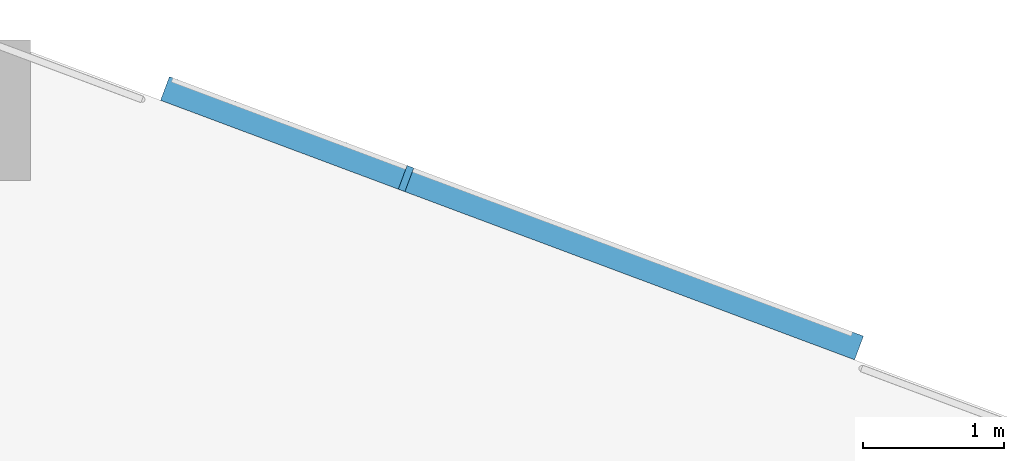
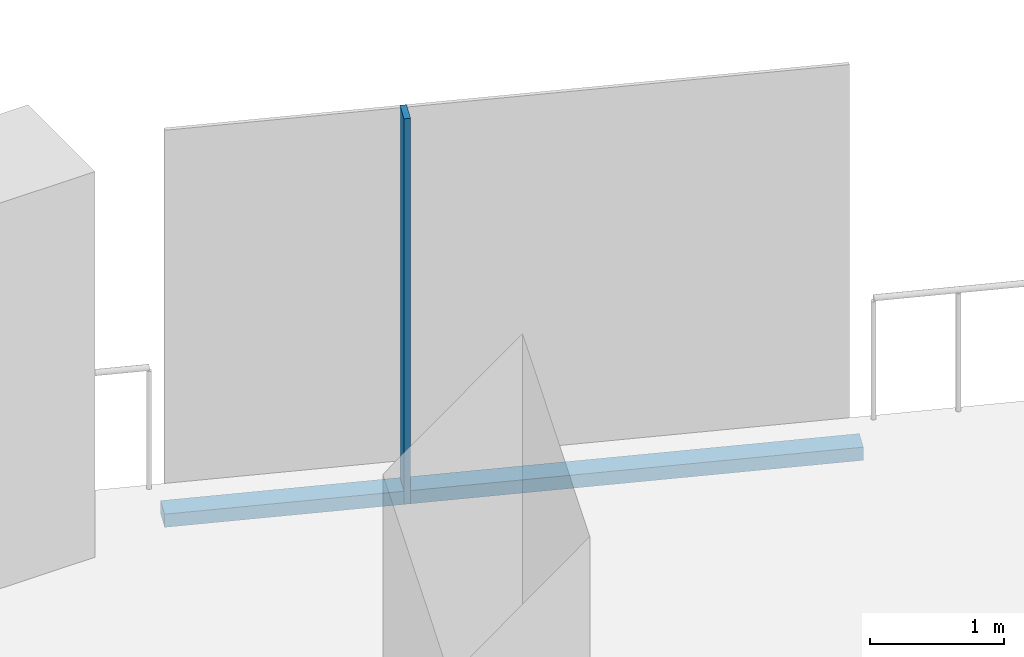
# One storey, part 9 of 30: 2 members, 1 element without a shape of its own.
"""IFC4 building model written with IfcOpenShell, lengths in metres."""

from ifc_helpers import new_model, si_unit, direction, frame, origin, origin_2d, place, context, subcontext, project, spatial, rectangle, extrude, material, material_profile, profile_set, type_object, element, aggregate, save


model = new_model("IFC4")

# Units and contexts
model_context = context("Model", 3, precision=1e-05, world=origin(), true_north=direction((0.0, 1.0)))
body_context = subcontext(model_context, "Body", "Model", "MODEL_VIEW")
ifc_project = project(units=[si_unit("LENGTHUNIT", "METRE"), si_unit("AREAUNIT", "SQUARE_METRE"), si_unit("VOLUMEUNIT", "CUBIC_METRE"), si_unit("PLANEANGLEUNIT", "RADIAN"), si_unit("MASSUNIT", "GRAM", prefix="KILO")], contexts=[model_context])

# Site, building, storey
site_placement = place(None, origin())
site = spatial("IfcSite", under=ifc_project, at=site_placement, CompositionType="ELEMENT")
building_placement = place(site_placement, origin())
building = spatial("IfcBuilding", under=site, at=building_placement, Name="Orlundy Tower", CompositionType="ELEMENT")
storey_placement = place(building_placement, frame((0.0, 0.0, 80.699951171875)))
storey = spatial("IfcBuildingStorey", under=building, at=storey_placement, Name="L19", CompositionType="ELEMENT", Elevation=80.699951171875)

# Curtain wall, members
ifc_material_1 = material(Name="Aluminium bronze anodised", Category="aluminium")
curtain_wall_type = type_object("IfcCurtainWallType", Name="CW1 wall", PredefinedType="NOTDEFINED", material=ifc_material_1)
curtain_wall_placement = place(storey_placement, origin())
curtain_wall = element("IfcCurtainWall", 1, at=curtain_wall_placement, inside=storey, type_object=curtain_wall_type, Name="CW1 run 06", PredefinedType="NOTDEFINED")
ifc_material_2 = material(Name="Aluminium bronze anodised", Category="aluminium")
ifc_material_profile_1 = material_profile(ifc_material_2, rectangle(XDim=0.179931640625, YDim=0.050048828125, at=origin_2d()), Name="CW1 mullion 50x180")
ifc_profile_set_1 = profile_set([ifc_material_profile_1], Name="Aluminium bronze anodised")
member_type_1 = type_object("IfcMemberType", Name="CW1 mullion 50x180", PredefinedType="MULLION", material=ifc_profile_set_1)
member_1_placement = place(storey_placement, frame((40.97509765625, 6.12841796875, -0.39990234375), z_axis=(0.0, 0.0, 1.0), x_axis=(0.350203812273, 0.93667352363, 0.0)))
member_1 = element("IfcMember", 2, at=member_1_placement, type_object=member_type_1, Name="CW1 mullion 29", PredefinedType="MULLION", context=body_context, shape_type="SweptSolid", body=[
    extrude(rectangle(XDim=0.179931640625, YDim=0.050048828125, at=origin_2d()), origin(), (0.0, 0.0, 1.0), 3.5),
])
ifc_material_3 = material(Name="Aluminium bronze anodised", Category="aluminium")
ifc_material_profile_2 = material_profile(ifc_material_3, rectangle(XDim=0.179931640625, YDim=0.1201171875, at=origin_2d()), Name="CW1 transom 180x120")
ifc_profile_set_2 = profile_set([ifc_material_profile_2], Name="Aluminium bronze anodised")
member_type_2 = type_object("IfcMemberType", Name="CW1 transom 180x120", PredefinedType="USERDEFINED", material=ifc_profile_set_2)
member_2_placement = place(storey_placement, frame((39.26123046875, 6.76904296875, -0.33984375), z_axis=(0.936667703793, -0.35021937792, 0.0), x_axis=(0.35021937792, 0.936667703793, 0.0)))
member_2 = element("IfcMember", 3, at=member_2_placement, type_object=member_type_2, Name="CW1 transom", ObjectType="TRANSOM", PredefinedType="USERDEFINED", context=body_context, shape_type="SweptSolid", body=[
    extrude(rectangle(XDim=0.179931640625, YDim=0.1201171875, at=origin_2d()), origin(), (0.0, 0.0, 1.0), 5.268798828125),
])
aggregate(curtain_wall, [member_1, member_2])

save(model, "model.ifc")
